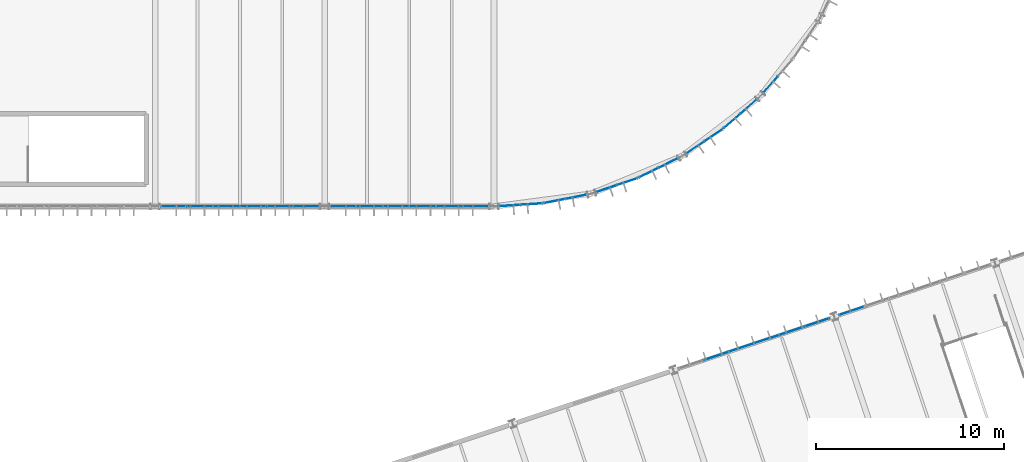
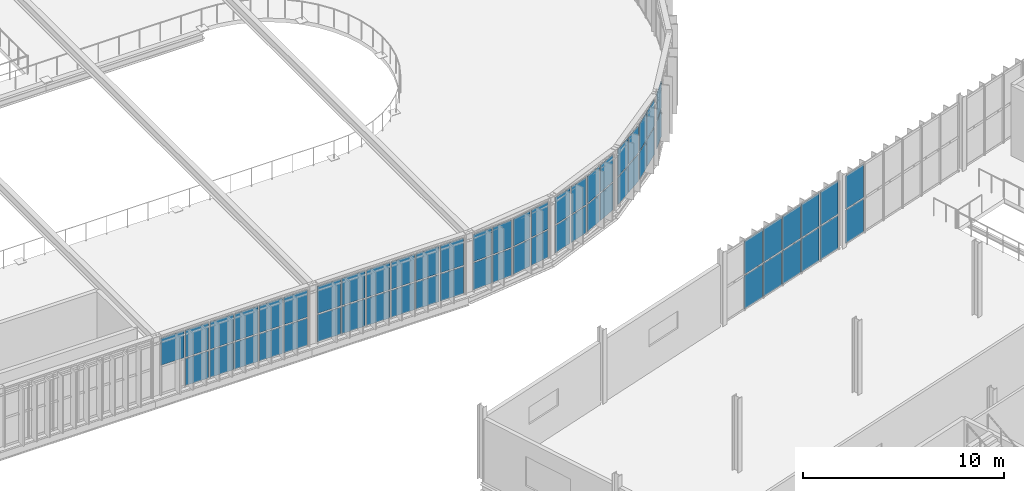
# One storey, part 107 of 152: 61 plates, 11 elements without a shape of their own.
"""IFC4 building model written with IfcOpenShell, lengths in metres."""

from ifc_helpers import new_model, si_unit, derived_unit, direction, frame, origin, origin_2d, place, context, subcontext, project, spatial, rectangle, extrude, material, layer, layer_set, type_object, element, aggregate, save


model = new_model("IFC4")

# Units and contexts
model_context = context("Model", 3, precision=1e-05, world=origin(), true_north=direction((0.0, 1.0)))
body_context = subcontext(model_context, "Body", "Model", "MODEL_VIEW")
ifc_project = project(units=[si_unit("LENGTHUNIT", "METRE"), si_unit("AREAUNIT", "SQUARE_METRE"), si_unit("VOLUMEUNIT", "CUBIC_METRE"), si_unit("PLANEANGLEUNIT", "RADIAN"), si_unit("MASSUNIT", "GRAM", prefix="KILO"), si_unit("THERMODYNAMICTEMPERATUREUNIT", "KELVIN"), si_unit("TIMEUNIT", "SECOND"), derived_unit("THERMALTRANSMITTANCEUNIT", [(si_unit("MASSUNIT", "GRAM", prefix="KILO"), 1), (si_unit("THERMODYNAMICTEMPERATUREUNIT", "KELVIN"), -1), (si_unit("TIMEUNIT", "SECOND"), -3)])], contexts=[model_context])

# Site, building, storey
site_placement = place(None, origin())
site = spatial("IfcSite", under=ifc_project, at=site_placement, CompositionType="ELEMENT")
building_placement = place(site_placement, origin())
building = spatial("IfcBuilding", under=site, at=building_placement, Name="Cambertide Market Hall", CompositionType="ELEMENT")
storey_placement = place(building_placement, frame((0.0, 0.0, 5.39990234375)))
storey = spatial("IfcBuildingStorey", under=building, at=storey_placement, Name="L02", CompositionType="ELEMENT", Elevation=5.39990234375)

# Curtain wall, plates
ifc_material_1 = material(Name="Marine Anodized Aluminium 6063-T6 AA25", Category="aluminium")
curtain_wall_type_1 = type_object("IfcCurtainWallType", Name="Lantern Straight Upper Curtain Wall", PredefinedType="USERDEFINED", material=ifc_material_1)
curtain_wall_1_placement = place(storey_placement, origin())
curtain_wall_1 = element("IfcCurtainWall", 1, at=curtain_wall_1_placement, inside=storey, type_object=curtain_wall_type_1, Name="Level 2 Curtain Wall CW-V1S-L02-6", ObjectType="UNITIZED CURTAIN WALL", PredefinedType="USERDEFINED")
ifc_material_2 = material(Name="Low-E Laminated Insulated Glass", Category="glass")
ifc_layer = layer(ifc_material_2, 0.028076171875, Name="Vision Insulated Glazing Panel 28")
ifc_layer_set = layer_set([ifc_layer], Name="Low-E Laminated Insulated Glass")
plate_type = type_object("IfcPlateType", Name="Vision Insulated Glazing Panel 28", PredefinedType="CURTAIN_PANEL", material=ifc_layer_set)
plate_1_placement = place(storey_placement, frame((95.041748046875, 52.0, 0.0400390625), z_axis=(0.0, 0.0, 1.0), x_axis=(-1.0, 0.0, 0.0)))
plate_1 = element("IfcPlate", 2, at=plate_1_placement, type_object=plate_type, Name="CW-V1S-L02-6 Glazing Panel 1-1", PredefinedType="CURTAIN_PANEL", context=body_context, shape_type="SweptSolid", body=[
    extrude(rectangle(XDim=1.336669921875, YDim=0.028076171875, at=origin_2d()), origin(), (0.0, 0.0, 1.0), 1.64501953125),
])
plate_2_placement = place(storey_placement, frame((93.625, 52.0, 0.0400390625), z_axis=(0.0, 0.0, 1.0), x_axis=(-1.0, 0.0, 0.0)))
plate_2 = element("IfcPlate", 3, at=plate_2_placement, type_object=plate_type, Name="CW-V1S-L02-6 Glazing Panel 1-2", PredefinedType="CURTAIN_PANEL", context=body_context, shape_type="SweptSolid", body=[
    extrude(rectangle(XDim=1.336669921875, YDim=0.028076171875, at=origin_2d()), origin(), (0.0, 0.0, 1.0), 1.64501953125),
])
plate_3_placement = place(storey_placement, frame((92.208251953125, 52.0, 0.0400390625), z_axis=(0.0, 0.0, 1.0), x_axis=(-1.0, 0.0, 0.0)))
plate_3 = element("IfcPlate", 4, at=plate_3_placement, type_object=plate_type, Name="CW-V1S-L02-6 Glazing Panel 1-3", PredefinedType="CURTAIN_PANEL", context=body_context, shape_type="SweptSolid", body=[
    extrude(rectangle(XDim=1.336669921875, YDim=0.028076171875, at=origin_2d()), origin(), (0.0, 0.0, 1.0), 1.64501953125),
])
plate_4_placement = place(storey_placement, frame((90.791748046875, 52.0, 0.0400390625), z_axis=(0.0, 0.0, 1.0), x_axis=(-1.0, 0.0, 0.0)))
plate_4 = element("IfcPlate", 5, at=plate_4_placement, type_object=plate_type, Name="CW-V1S-L02-6 Glazing Panel 1-4", PredefinedType="CURTAIN_PANEL", context=body_context, shape_type="SweptSolid", body=[
    extrude(rectangle(XDim=1.336669921875, YDim=0.028076171875, at=origin_2d()), origin(), (0.0, 0.0, 1.0), 1.64501953125),
])
plate_5_placement = place(storey_placement, frame((89.375, 52.0, 0.0400390625), z_axis=(0.0, 0.0, 1.0), x_axis=(-1.0, 0.0, 0.0)))
plate_5 = element("IfcPlate", 6, at=plate_5_placement, type_object=plate_type, Name="CW-V1S-L02-6 Glazing Panel 1-5", PredefinedType="CURTAIN_PANEL", context=body_context, shape_type="SweptSolid", body=[
    extrude(rectangle(XDim=1.336669921875, YDim=0.028076171875, at=origin_2d()), origin(), (0.0, 0.0, 1.0), 1.64501953125),
])
plate_6_placement = place(storey_placement, frame((95.041748046875, 52.0, 1.76513671875), z_axis=(0.0, 0.0, 1.0), x_axis=(-1.0, 0.0, 0.0)))
plate_6 = element("IfcPlate", 7, at=plate_6_placement, type_object=plate_type, Name="CW-V1S-L02-6 Glazing Panel 2-1", PredefinedType="CURTAIN_PANEL", context=body_context, shape_type="SweptSolid", body=[
    extrude(rectangle(XDim=1.336669921875, YDim=0.028076171875, at=origin_2d()), origin(), (0.0, 0.0, 1.0), 1.64501953125),
])
plate_7_placement = place(storey_placement, frame((93.625, 52.0, 1.76513671875), z_axis=(0.0, 0.0, 1.0), x_axis=(-1.0, 0.0, 0.0)))
plate_7 = element("IfcPlate", 8, at=plate_7_placement, type_object=plate_type, Name="CW-V1S-L02-6 Glazing Panel 2-2", PredefinedType="CURTAIN_PANEL", context=body_context, shape_type="SweptSolid", body=[
    extrude(rectangle(XDim=1.336669921875, YDim=0.028076171875, at=origin_2d()), origin(), (0.0, 0.0, 1.0), 1.64501953125),
])
plate_8_placement = place(storey_placement, frame((92.208251953125, 52.0, 1.76513671875), z_axis=(0.0, 0.0, 1.0), x_axis=(-1.0, 0.0, 0.0)))
plate_8 = element("IfcPlate", 9, at=plate_8_placement, type_object=plate_type, Name="CW-V1S-L02-6 Glazing Panel 2-3", PredefinedType="CURTAIN_PANEL", context=body_context, shape_type="SweptSolid", body=[
    extrude(rectangle(XDim=1.336669921875, YDim=0.028076171875, at=origin_2d()), origin(), (0.0, 0.0, 1.0), 1.64501953125),
])
plate_9_placement = place(storey_placement, frame((90.791748046875, 52.0, 1.76513671875), z_axis=(0.0, 0.0, 1.0), x_axis=(-1.0, 0.0, 0.0)))
plate_9 = element("IfcPlate", 10, at=plate_9_placement, type_object=plate_type, Name="CW-V1S-L02-6 Glazing Panel 2-4", PredefinedType="CURTAIN_PANEL", context=body_context, shape_type="SweptSolid", body=[
    extrude(rectangle(XDim=1.336669921875, YDim=0.028076171875, at=origin_2d()), origin(), (0.0, 0.0, 1.0), 1.64501953125),
])
plate_10_placement = place(storey_placement, frame((89.375, 52.0, 1.76513671875), z_axis=(0.0, 0.0, 1.0), x_axis=(-1.0, 0.0, 0.0)))
plate_10 = element("IfcPlate", 11, at=plate_10_placement, type_object=plate_type, Name="CW-V1S-L02-6 Glazing Panel 2-5", PredefinedType="CURTAIN_PANEL", context=body_context, shape_type="SweptSolid", body=[
    extrude(rectangle(XDim=1.336669921875, YDim=0.028076171875, at=origin_2d()), origin(), (0.0, 0.0, 1.0), 1.64501953125),
])
plate_11_placement = place(storey_placement, frame((87.958251953125, 52.0, 1.76513671875), z_axis=(0.0, 0.0, 1.0), x_axis=(-1.0, 0.0, 0.0)))
plate_11 = element("IfcPlate", 12, at=plate_11_placement, type_object=plate_type, Name="CW-V1S-L02-6 Glazing Panel 2-6", PredefinedType="CURTAIN_PANEL", context=body_context, shape_type="SweptSolid", body=[
    extrude(rectangle(XDim=1.336669921875, YDim=0.028076171875, at=origin_2d()), origin(), (0.0, 0.0, 1.0), 1.64501953125),
])
aggregate(curtain_wall_1, [plate_1, plate_2, plate_3, plate_4, plate_5, plate_6, plate_7, plate_8, plate_9, plate_10, plate_11])

curtain_wall_2_placement = place(storey_placement, origin())
curtain_wall_2 = element("IfcCurtainWall", 13, at=curtain_wall_2_placement, inside=storey, type_object=curtain_wall_type_1, Name="Level 2 Curtain Wall CW-V1S-L02-7", ObjectType="UNITIZED CURTAIN WALL", PredefinedType="USERDEFINED")
plate_12_placement = place(storey_placement, frame((104.041748046875, 52.0, 0.0400390625), z_axis=(0.0, 0.0, 1.0), x_axis=(-1.0, 0.0, 0.0)))
plate_12 = element("IfcPlate", 14, at=plate_12_placement, type_object=plate_type, Name="CW-V1S-L02-7 Glazing Panel 1-1", PredefinedType="CURTAIN_PANEL", context=body_context, shape_type="SweptSolid", body=[
    extrude(rectangle(XDim=1.336669921875, YDim=0.028076171875, at=origin_2d()), origin(), (0.0, 0.0, 1.0), 1.64501953125),
])
plate_13_placement = place(storey_placement, frame((102.625, 52.0, 0.0400390625), z_axis=(0.0, 0.0, 1.0), x_axis=(-1.0, 0.0, 0.0)))
plate_13 = element("IfcPlate", 15, at=plate_13_placement, type_object=plate_type, Name="CW-V1S-L02-7 Glazing Panel 1-2", PredefinedType="CURTAIN_PANEL", context=body_context, shape_type="SweptSolid", body=[
    extrude(rectangle(XDim=1.336669921875, YDim=0.028076171875, at=origin_2d()), origin(), (0.0, 0.0, 1.0), 1.64501953125),
])
plate_14_placement = place(storey_placement, frame((101.208251953125, 52.0, 0.0400390625), z_axis=(0.0, 0.0, 1.0), x_axis=(-1.0, 0.0, 0.0)))
plate_14 = element("IfcPlate", 16, at=plate_14_placement, type_object=plate_type, Name="CW-V1S-L02-7 Glazing Panel 1-3", PredefinedType="CURTAIN_PANEL", context=body_context, shape_type="SweptSolid", body=[
    extrude(rectangle(XDim=1.336669921875, YDim=0.028076171875, at=origin_2d()), origin(), (0.0, 0.0, 1.0), 1.64501953125),
])
plate_15_placement = place(storey_placement, frame((99.791748046875, 52.0, 0.0400390625), z_axis=(0.0, 0.0, 1.0), x_axis=(-1.0, 0.0, 0.0)))
plate_15 = element("IfcPlate", 17, at=plate_15_placement, type_object=plate_type, Name="CW-V1S-L02-7 Glazing Panel 1-4", PredefinedType="CURTAIN_PANEL", context=body_context, shape_type="SweptSolid", body=[
    extrude(rectangle(XDim=1.336669921875, YDim=0.028076171875, at=origin_2d()), origin(), (0.0, 0.0, 1.0), 1.64501953125),
])
plate_16_placement = place(storey_placement, frame((98.375, 52.0, 0.0400390625), z_axis=(0.0, 0.0, 1.0), x_axis=(-1.0, 0.0, 0.0)))
plate_16 = element("IfcPlate", 18, at=plate_16_placement, type_object=plate_type, Name="CW-V1S-L02-7 Glazing Panel 1-5", PredefinedType="CURTAIN_PANEL", context=body_context, shape_type="SweptSolid", body=[
    extrude(rectangle(XDim=1.336669921875, YDim=0.028076171875, at=origin_2d()), origin(), (0.0, 0.0, 1.0), 1.64501953125),
])
plate_17_placement = place(storey_placement, frame((96.958251953125, 52.0, 0.0400390625), z_axis=(0.0, 0.0, 1.0), x_axis=(-1.0, 0.0, 0.0)))
plate_17 = element("IfcPlate", 19, at=plate_17_placement, type_object=plate_type, Name="CW-V1S-L02-7 Glazing Panel 1-6", PredefinedType="CURTAIN_PANEL", context=body_context, shape_type="SweptSolid", body=[
    extrude(rectangle(XDim=1.336669921875, YDim=0.028076171875, at=origin_2d()), origin(), (0.0, 0.0, 1.0), 1.64501953125),
])
plate_18_placement = place(storey_placement, frame((104.041748046875, 52.0, 1.76513671875), z_axis=(0.0, 0.0, 1.0), x_axis=(-1.0, 0.0, 0.0)))
plate_18 = element("IfcPlate", 20, at=plate_18_placement, type_object=plate_type, Name="CW-V1S-L02-7 Glazing Panel 2-1", PredefinedType="CURTAIN_PANEL", context=body_context, shape_type="SweptSolid", body=[
    extrude(rectangle(XDim=1.336669921875, YDim=0.028076171875, at=origin_2d()), origin(), (0.0, 0.0, 1.0), 1.64501953125),
])
plate_19_placement = place(storey_placement, frame((102.625, 52.0, 1.76513671875), z_axis=(0.0, 0.0, 1.0), x_axis=(-1.0, 0.0, 0.0)))
plate_19 = element("IfcPlate", 21, at=plate_19_placement, type_object=plate_type, Name="CW-V1S-L02-7 Glazing Panel 2-2", PredefinedType="CURTAIN_PANEL", context=body_context, shape_type="SweptSolid", body=[
    extrude(rectangle(XDim=1.336669921875, YDim=0.028076171875, at=origin_2d()), origin(), (0.0, 0.0, 1.0), 1.64501953125),
])
plate_20_placement = place(storey_placement, frame((101.208251953125, 52.0, 1.76513671875), z_axis=(0.0, 0.0, 1.0), x_axis=(-1.0, 0.0, 0.0)))
plate_20 = element("IfcPlate", 22, at=plate_20_placement, type_object=plate_type, Name="CW-V1S-L02-7 Glazing Panel 2-3", PredefinedType="CURTAIN_PANEL", context=body_context, shape_type="SweptSolid", body=[
    extrude(rectangle(XDim=1.336669921875, YDim=0.028076171875, at=origin_2d()), origin(), (0.0, 0.0, 1.0), 1.64501953125),
])
plate_21_placement = place(storey_placement, frame((99.791748046875, 52.0, 1.76513671875), z_axis=(0.0, 0.0, 1.0), x_axis=(-1.0, 0.0, 0.0)))
plate_21 = element("IfcPlate", 23, at=plate_21_placement, type_object=plate_type, Name="CW-V1S-L02-7 Glazing Panel 2-4", PredefinedType="CURTAIN_PANEL", context=body_context, shape_type="SweptSolid", body=[
    extrude(rectangle(XDim=1.336669921875, YDim=0.028076171875, at=origin_2d()), origin(), (0.0, 0.0, 1.0), 1.64501953125),
])
plate_22_placement = place(storey_placement, frame((98.375, 52.0, 1.76513671875), z_axis=(0.0, 0.0, 1.0), x_axis=(-1.0, 0.0, 0.0)))
plate_22 = element("IfcPlate", 24, at=plate_22_placement, type_object=plate_type, Name="CW-V1S-L02-7 Glazing Panel 2-5", PredefinedType="CURTAIN_PANEL", context=body_context, shape_type="SweptSolid", body=[
    extrude(rectangle(XDim=1.336669921875, YDim=0.028076171875, at=origin_2d()), origin(), (0.0, 0.0, 1.0), 1.64501953125),
])
plate_23_placement = place(storey_placement, frame((96.958251953125, 52.0, 1.76513671875), z_axis=(0.0, 0.0, 1.0), x_axis=(-1.0, 0.0, 0.0)))
plate_23 = element("IfcPlate", 25, at=plate_23_placement, type_object=plate_type, Name="CW-V1S-L02-7 Glazing Panel 2-6", PredefinedType="CURTAIN_PANEL", context=body_context, shape_type="SweptSolid", body=[
    extrude(rectangle(XDim=1.336669921875, YDim=0.028076171875, at=origin_2d()), origin(), (0.0, 0.0, 1.0), 1.64501953125),
])
aggregate(curtain_wall_2, [plate_12, plate_13, plate_14, plate_15, plate_16, plate_17, plate_18, plate_19, plate_20, plate_21, plate_22, plate_23])

ifc_material_3 = material(Name="Marine Anodized Aluminium 6063-T6 AA25", Category="aluminium")
curtain_wall_type_2 = type_object("IfcCurtainWallType", Name="Lantern Apse Chord Upper Curtain Wall", PredefinedType="USERDEFINED", material=ifc_material_3)
curtain_wall_3_placement = place(storey_placement, origin())
curtain_wall_3 = element("IfcCurtainWall", 26, at=curtain_wall_3_placement, inside=storey, type_object=curtain_wall_type_2, Name="Level 2 Curtain Wall CW-V1AE-L02-01", ObjectType="UNITIZED CURTAIN WALL", PredefinedType="USERDEFINED")
plate_24_placement = place(storey_placement, frame((106.997802734375, 52.130859375, 0.0400390625), z_axis=(0.0, 0.0, 1.0), x_axis=(-0.997858917819, -0.065403211921, 0.0)))
plate_24 = element("IfcPlate", 27, at=plate_24_placement, type_object=plate_type, Name="CW-V1AE-L02-01 Glazing Panel 1-1", PredefinedType="CURTAIN_PANEL", context=body_context, shape_type="SweptSolid", body=[
    extrude(rectangle(XDim=1.108154296875, YDim=0.028076171875, at=origin_2d()), origin(), (0.0, 0.0, 1.0), 1.64501953125),
])
plate_25_placement = place(storey_placement, frame((105.812255859375, 52.05322265625, 0.0400390625), z_axis=(0.0, 0.0, 1.0), x_axis=(-0.997858917819, -0.065403211921, 0.0)))
plate_25 = element("IfcPlate", 28, at=plate_25_placement, type_object=plate_type, Name="CW-V1AE-L02-01 Glazing Panel 1-2", PredefinedType="CURTAIN_PANEL", context=body_context, shape_type="SweptSolid", body=[
    extrude(rectangle(XDim=1.108154296875, YDim=0.028076171875, at=origin_2d()), origin(), (0.0, 0.0, 1.0), 1.64501953125),
])
plate_26_placement = place(storey_placement, frame((106.997802734375, 52.130859375, 1.76513671875), z_axis=(0.0, 0.0, 1.0), x_axis=(-0.997858917819, -0.065403211921, 0.0)))
plate_26 = element("IfcPlate", 29, at=plate_26_placement, type_object=plate_type, Name="CW-V1AE-L02-01 Glazing Panel 2-1", PredefinedType="CURTAIN_PANEL", context=body_context, shape_type="SweptSolid", body=[
    extrude(rectangle(XDim=1.108154296875, YDim=0.028076171875, at=origin_2d()), origin(), (0.0, 0.0, 1.0), 1.64501953125),
])
plate_27_placement = place(storey_placement, frame((105.812255859375, 52.05322265625, 1.76513671875), z_axis=(0.0, 0.0, 1.0), x_axis=(-0.997858917819, -0.065403211921, 0.0)))
plate_27 = element("IfcPlate", 30, at=plate_27_placement, type_object=plate_type, Name="CW-V1AE-L02-01 Glazing Panel 2-2", PredefinedType="CURTAIN_PANEL", context=body_context, shape_type="SweptSolid", body=[
    extrude(rectangle(XDim=1.108154296875, YDim=0.028076171875, at=origin_2d()), origin(), (0.0, 0.0, 1.0), 1.64501953125),
])
aggregate(curtain_wall_3, [plate_24, plate_25, plate_26, plate_27])

curtain_wall_4_placement = place(storey_placement, origin())
curtain_wall_4 = element("IfcCurtainWall", 31, at=curtain_wall_4_placement, inside=storey, type_object=curtain_wall_type_2, Name="Level 2 Curtain Wall CW-V1AE-L02-02", ObjectType="UNITIZED CURTAIN WALL", PredefinedType="USERDEFINED")
plate_28_placement = place(storey_placement, frame((109.3779296875, 52.522705078125, 0.0400390625), z_axis=(0.0, 0.0, 1.0), x_axis=(-0.980785330885, -0.195090068226, 0.0)))
plate_28 = element("IfcPlate", 32, at=plate_28_placement, type_object=plate_type, Name="CW-V1AE-L02-02 Glazing Panel 1-1", PredefinedType="CURTAIN_PANEL", context=body_context, shape_type="SweptSolid", body=[
    extrude(rectangle(XDim=1.108154296875, YDim=0.028076171875, at=origin_2d()), origin(), (0.0, 0.0, 1.0), 1.64501953125),
])
plate_29_placement = place(storey_placement, frame((108.212646484375, 52.291015625, 0.0400390625), z_axis=(0.0, 0.0, 1.0), x_axis=(-0.980785330885, -0.195090068226, 0.0)))
plate_29 = element("IfcPlate", 33, at=plate_29_placement, type_object=plate_type, Name="CW-V1AE-L02-02 Glazing Panel 1-2", PredefinedType="CURTAIN_PANEL", context=body_context, shape_type="SweptSolid", body=[
    extrude(rectangle(XDim=1.108154296875, YDim=0.028076171875, at=origin_2d()), origin(), (0.0, 0.0, 1.0), 1.64501953125),
])
plate_30_placement = place(storey_placement, frame((109.3779296875, 52.522705078125, 1.76513671875), z_axis=(0.0, 0.0, 1.0), x_axis=(-0.980785330885, -0.195090068226, 0.0)))
plate_30 = element("IfcPlate", 34, at=plate_30_placement, type_object=plate_type, Name="CW-V1AE-L02-02 Glazing Panel 2-1", PredefinedType="CURTAIN_PANEL", context=body_context, shape_type="SweptSolid", body=[
    extrude(rectangle(XDim=1.108154296875, YDim=0.028076171875, at=origin_2d()), origin(), (0.0, 0.0, 1.0), 1.64501953125),
])
plate_31_placement = place(storey_placement, frame((108.212646484375, 52.291015625, 1.76513671875), z_axis=(0.0, 0.0, 1.0), x_axis=(-0.980785330885, -0.195090068226, 0.0)))
plate_31 = element("IfcPlate", 35, at=plate_31_placement, type_object=plate_type, Name="CW-V1AE-L02-02 Glazing Panel 2-2", PredefinedType="CURTAIN_PANEL", context=body_context, shape_type="SweptSolid", body=[
    extrude(rectangle(XDim=1.108154296875, YDim=0.028076171875, at=origin_2d()), origin(), (0.0, 0.0, 1.0), 1.64501953125),
])
aggregate(curtain_wall_4, [plate_28, plate_29, plate_30, plate_31])

curtain_wall_5_placement = place(storey_placement, origin())
curtain_wall_5 = element("IfcCurtainWall", 36, at=curtain_wall_5_placement, inside=storey, type_object=curtain_wall_type_2, Name="Level 2 Curtain Wall CW-V1AE-L02-03", ObjectType="UNITIZED CURTAIN WALL", PredefinedType="USERDEFINED")
plate_32_placement = place(storey_placement, frame((112.072265625, 53.324951171875, 0.0400390625), z_axis=(0.0, 0.0, 1.0), x_axis=(-0.94693012508, -0.32143947831, 0.0)))
plate_32 = element("IfcPlate", 37, at=plate_32_placement, type_object=plate_type, Name="CW-V1AE-L02-03 Glazing Panel 1-1", PredefinedType="CURTAIN_PANEL", context=body_context, shape_type="SweptSolid", body=[
    extrude(rectangle(XDim=1.108154296875, YDim=0.028076171875, at=origin_2d()), origin(), (0.0, 0.0, 1.0), 1.64501953125),
])
plate_33_placement = place(storey_placement, frame((110.947265625, 52.943115234375, 0.0400390625), z_axis=(0.0, 0.0, 1.0), x_axis=(-0.94693012508, -0.32143947831, 0.0)))
plate_33 = element("IfcPlate", 38, at=plate_33_placement, type_object=plate_type, Name="CW-V1AE-L02-03 Glazing Panel 1-2", PredefinedType="CURTAIN_PANEL", context=body_context, shape_type="SweptSolid", body=[
    extrude(rectangle(XDim=1.108154296875, YDim=0.028076171875, at=origin_2d()), origin(), (0.0, 0.0, 1.0), 1.64501953125),
])
plate_34_placement = place(storey_placement, frame((112.072265625, 53.324951171875, 1.76513671875), z_axis=(0.0, 0.0, 1.0), x_axis=(-0.94693012508, -0.32143947831, 0.0)))
plate_34 = element("IfcPlate", 39, at=plate_34_placement, type_object=plate_type, Name="CW-V1AE-L02-03 Glazing Panel 2-1", PredefinedType="CURTAIN_PANEL", context=body_context, shape_type="SweptSolid", body=[
    extrude(rectangle(XDim=1.108154296875, YDim=0.028076171875, at=origin_2d()), origin(), (0.0, 0.0, 1.0), 1.64501953125),
])
plate_35_placement = place(storey_placement, frame((110.947265625, 52.943115234375, 1.76513671875), z_axis=(0.0, 0.0, 1.0), x_axis=(-0.94693012508, -0.32143947831, 0.0)))
plate_35 = element("IfcPlate", 40, at=plate_35_placement, type_object=plate_type, Name="CW-V1AE-L02-03 Glazing Panel 2-2", PredefinedType="CURTAIN_PANEL", context=body_context, shape_type="SweptSolid", body=[
    extrude(rectangle(XDim=1.108154296875, YDim=0.028076171875, at=origin_2d()), origin(), (0.0, 0.0, 1.0), 1.64501953125),
])
aggregate(curtain_wall_5, [plate_32, plate_33, plate_34, plate_35])

curtain_wall_6_placement = place(storey_placement, origin())
curtain_wall_6 = element("IfcCurtainWall", 41, at=curtain_wall_6_placement, inside=storey, type_object=curtain_wall_type_2, Name="Level 2 Curtain Wall CW-V1AE-L02-04", ObjectType="UNITIZED CURTAIN WALL", PredefinedType="USERDEFINED")
plate_36_placement = place(storey_placement, frame((114.27001953125, 54.3193359375, 0.0400390625), z_axis=(0.0, 0.0, 1.0), x_axis=(-0.896872650645, -0.442288874522, 0.0)))
plate_36 = element("IfcPlate", 42, at=plate_36_placement, type_object=plate_type, Name="CW-V1AE-L02-04 Glazing Panel 1-1", PredefinedType="CURTAIN_PANEL", context=body_context, shape_type="SweptSolid", body=[
    extrude(rectangle(XDim=1.108154296875, YDim=0.028076171875, at=origin_2d()), origin(), (0.0, 0.0, 1.0), 1.64501953125),
])
plate_37_placement = place(storey_placement, frame((113.204345703125, 53.7939453125, 0.0400390625), z_axis=(0.0, 0.0, 1.0), x_axis=(-0.896872650645, -0.442288874522, 0.0)))
plate_37 = element("IfcPlate", 43, at=plate_37_placement, type_object=plate_type, Name="CW-V1AE-L02-04 Glazing Panel 1-2", PredefinedType="CURTAIN_PANEL", context=body_context, shape_type="SweptSolid", body=[
    extrude(rectangle(XDim=1.108154296875, YDim=0.028076171875, at=origin_2d()), origin(), (0.0, 0.0, 1.0), 1.64501953125),
])
plate_38_placement = place(storey_placement, frame((114.27001953125, 54.3193359375, 1.76513671875), z_axis=(0.0, 0.0, 1.0), x_axis=(-0.896872650645, -0.442288874522, 0.0)))
plate_38 = element("IfcPlate", 44, at=plate_38_placement, type_object=plate_type, Name="CW-V1AE-L02-04 Glazing Panel 2-1", PredefinedType="CURTAIN_PANEL", context=body_context, shape_type="SweptSolid", body=[
    extrude(rectangle(XDim=1.108154296875, YDim=0.028076171875, at=origin_2d()), origin(), (0.0, 0.0, 1.0), 1.64501953125),
])
plate_39_placement = place(storey_placement, frame((113.204345703125, 53.7939453125, 1.76513671875), z_axis=(0.0, 0.0, 1.0), x_axis=(-0.896872650645, -0.442288874522, 0.0)))
plate_39 = element("IfcPlate", 45, at=plate_39_placement, type_object=plate_type, Name="CW-V1AE-L02-04 Glazing Panel 2-2", PredefinedType="CURTAIN_PANEL", context=body_context, shape_type="SweptSolid", body=[
    extrude(rectangle(XDim=1.108154296875, YDim=0.028076171875, at=origin_2d()), origin(), (0.0, 0.0, 1.0), 1.64501953125),
])
aggregate(curtain_wall_6, [plate_36, plate_37, plate_38, plate_39])

curtain_wall_7_placement = place(storey_placement, origin())
curtain_wall_7 = element("IfcCurtainWall", 46, at=curtain_wall_7_placement, inside=storey, type_object=curtain_wall_type_2, Name="Level 2 Curtain Wall CW-V1AE-L02-05", ObjectType="UNITIZED CURTAIN WALL", PredefinedType="USERDEFINED")
plate_40_placement = place(storey_placement, frame((116.664794921875, 55.791748046875, 0.0400390625), z_axis=(0.0, 0.0, 1.0), x_axis=(-0.831469709481, -0.555570087582, 0.0)))
plate_40 = element("IfcPlate", 47, at=plate_40_placement, type_object=plate_type, Name="CW-V1AE-L02-05 Glazing Panel 1-1", PredefinedType="CURTAIN_PANEL", context=body_context, shape_type="SweptSolid", body=[
    extrude(rectangle(XDim=1.108154296875, YDim=0.028076171875, at=origin_2d()), origin(), (0.0, 0.0, 1.0), 1.64501953125),
])
plate_41_placement = place(storey_placement, frame((115.6767578125, 55.1318359375, 0.0400390625), z_axis=(0.0, 0.0, 1.0), x_axis=(-0.831469709481, -0.555570087582, 0.0)))
plate_41 = element("IfcPlate", 48, at=plate_41_placement, type_object=plate_type, Name="CW-V1AE-L02-05 Glazing Panel 1-2", PredefinedType="CURTAIN_PANEL", context=body_context, shape_type="SweptSolid", body=[
    extrude(rectangle(XDim=1.108154296875, YDim=0.028076171875, at=origin_2d()), origin(), (0.0, 0.0, 1.0), 1.64501953125),
])
plate_42_placement = place(storey_placement, frame((116.664794921875, 55.791748046875, 1.76513671875), z_axis=(0.0, 0.0, 1.0), x_axis=(-0.831469709481, -0.555570087582, 0.0)))
plate_42 = element("IfcPlate", 49, at=plate_42_placement, type_object=plate_type, Name="CW-V1AE-L02-05 Glazing Panel 2-1", PredefinedType="CURTAIN_PANEL", context=body_context, shape_type="SweptSolid", body=[
    extrude(rectangle(XDim=1.108154296875, YDim=0.028076171875, at=origin_2d()), origin(), (0.0, 0.0, 1.0), 1.64501953125),
])
plate_43_placement = place(storey_placement, frame((115.6767578125, 55.1318359375, 1.76513671875), z_axis=(0.0, 0.0, 1.0), x_axis=(-0.831469709481, -0.555570087582, 0.0)))
plate_43 = element("IfcPlate", 50, at=plate_43_placement, type_object=plate_type, Name="CW-V1AE-L02-05 Glazing Panel 2-2", PredefinedType="CURTAIN_PANEL", context=body_context, shape_type="SweptSolid", body=[
    extrude(rectangle(XDim=1.108154296875, YDim=0.028076171875, at=origin_2d()), origin(), (0.0, 0.0, 1.0), 1.64501953125),
])
aggregate(curtain_wall_7, [plate_40, plate_41, plate_42, plate_43])

curtain_wall_8_placement = place(storey_placement, origin())
curtain_wall_8 = element("IfcCurtainWall", 51, at=curtain_wall_8_placement, inside=storey, type_object=curtain_wall_type_2, Name="Level 2 Curtain Wall CW-V1AE-L02-06", ObjectType="UNITIZED CURTAIN WALL", PredefinedType="USERDEFINED")
plate_44_placement = place(storey_placement, frame((118.530029296875, 57.321044921875, 0.0400390625), z_axis=(0.0, 0.0, 1.0), x_axis=(-0.751839834741, -0.659345784014, 0.0)))
plate_44 = element("IfcPlate", 52, at=plate_44_placement, type_object=plate_type, Name="CW-V1AE-L02-06 Glazing Panel 1-1", PredefinedType="CURTAIN_PANEL", context=body_context, shape_type="SweptSolid", body=[
    extrude(rectangle(XDim=1.108154296875, YDim=0.028076171875, at=origin_2d()), origin(), (0.0, 0.0, 1.0), 1.64501953125),
])
plate_45_placement = place(storey_placement, frame((117.636962890625, 56.537841796875, 0.0400390625), z_axis=(0.0, 0.0, 1.0), x_axis=(-0.751839834741, -0.659345784014, 0.0)))
plate_45 = element("IfcPlate", 53, at=plate_45_placement, type_object=plate_type, Name="CW-V1AE-L02-06 Glazing Panel 1-2", PredefinedType="CURTAIN_PANEL", context=body_context, shape_type="SweptSolid", body=[
    extrude(rectangle(XDim=1.108154296875, YDim=0.028076171875, at=origin_2d()), origin(), (0.0, 0.0, 1.0), 1.64501953125),
])
plate_46_placement = place(storey_placement, frame((118.530029296875, 57.321044921875, 1.76513671875), z_axis=(0.0, 0.0, 1.0), x_axis=(-0.751839834741, -0.659345784014, 0.0)))
plate_46 = element("IfcPlate", 54, at=plate_46_placement, type_object=plate_type, Name="CW-V1AE-L02-06 Glazing Panel 2-1", PredefinedType="CURTAIN_PANEL", context=body_context, shape_type="SweptSolid", body=[
    extrude(rectangle(XDim=1.108154296875, YDim=0.028076171875, at=origin_2d()), origin(), (0.0, 0.0, 1.0), 1.64501953125),
])
plate_47_placement = place(storey_placement, frame((117.636962890625, 56.537841796875, 1.76513671875), z_axis=(0.0, 0.0, 1.0), x_axis=(-0.751839834741, -0.659345784014, 0.0)))
plate_47 = element("IfcPlate", 55, at=plate_47_placement, type_object=plate_type, Name="CW-V1AE-L02-06 Glazing Panel 2-2", PredefinedType="CURTAIN_PANEL", context=body_context, shape_type="SweptSolid", body=[
    extrude(rectangle(XDim=1.108154296875, YDim=0.028076171875, at=origin_2d()), origin(), (0.0, 0.0, 1.0), 1.64501953125),
])
aggregate(curtain_wall_8, [plate_44, plate_45, plate_46, plate_47])

curtain_wall_9_placement = place(storey_placement, origin())
curtain_wall_9 = element("IfcCurtainWall", 56, at=curtain_wall_9_placement, inside=storey, type_object=curtain_wall_type_2, Name="Level 2 Curtain Wall CW-V1AE-L02-07", ObjectType="UNITIZED CURTAIN WALL", PredefinedType="USERDEFINED")
plate_48_placement = place(storey_placement, frame((119.678955078125, 58.469970703125, 0.0400390625), z_axis=(0.0, 0.0, 1.0), x_axis=(-0.659345784014, -0.751839834741, 0.0)))
plate_48 = element("IfcPlate", 57, at=plate_48_placement, type_object=plate_type, Name="CW-V1AE-L02-07 Glazing Panel 1-2", PredefinedType="CURTAIN_PANEL", context=body_context, shape_type="SweptSolid", body=[
    extrude(rectangle(XDim=1.108154296875, YDim=0.028076171875, at=origin_2d()), origin(), (0.0, 0.0, 1.0), 1.64501953125),
])
plate_49_placement = place(storey_placement, frame((119.678955078125, 58.469970703125, 1.76513671875), z_axis=(0.0, 0.0, 1.0), x_axis=(-0.659345784014, -0.751839834741, 0.0)))
plate_49 = element("IfcPlate", 58, at=plate_49_placement, type_object=plate_type, Name="CW-V1AE-L02-07 Glazing Panel 2-2", PredefinedType="CURTAIN_PANEL", context=body_context, shape_type="SweptSolid", body=[
    extrude(rectangle(XDim=1.108154296875, YDim=0.028076171875, at=origin_2d()), origin(), (0.0, 0.0, 1.0), 1.64501953125),
])
aggregate(curtain_wall_9, [plate_48, plate_49])

ifc_material_4 = material(Name="Marine Anodized Aluminium 6063-T6 AA25", Category="aluminium")
curtain_wall_type_3 = type_object("IfcCurtainWallType", Name="Food Court Upper Glazed Facade", PredefinedType="USERDEFINED", material=ifc_material_4)
curtain_wall_10_placement = place(storey_placement, origin())
curtain_wall_10 = element("IfcCurtainWall", 59, at=curtain_wall_10_placement, inside=storey, type_object=curtain_wall_type_3, Name="Level 2 Curtain Wall CW-V3N-L02-3", ObjectType="UNITIZED CURTAIN WALL", PredefinedType="USERDEFINED")
plate_50_placement = place(storey_placement, frame((116.78662109375, 44.055908203125, 0.0400390625), z_axis=(0.0, 0.0, 1.0), x_axis=(0.948683274577, 0.316227836438, 0.0)))
plate_50 = element("IfcPlate", 60, at=plate_50_placement, type_object=plate_type, Name="CW-V3N-L02-3 Glazing Panel 1-2", PredefinedType="CURTAIN_PANEL", context=body_context, shape_type="SweptSolid", body=[
    extrude(rectangle(XDim=1.340087890625, YDim=0.028076171875, at=origin_2d()), origin(), (0.0, 0.0, 1.0), 2.02001953125),
])
plate_51_placement = place(storey_placement, frame((118.133544921875, 44.505126953125, 0.0400390625), z_axis=(0.0, 0.0, 1.0), x_axis=(0.948683274577, 0.316227836438, 0.0)))
plate_51 = element("IfcPlate", 61, at=plate_51_placement, type_object=plate_type, Name="CW-V3N-L02-3 Glazing Panel 1-3", PredefinedType="CURTAIN_PANEL", context=body_context, shape_type="SweptSolid", body=[
    extrude(rectangle(XDim=1.340087890625, YDim=0.028076171875, at=origin_2d()), origin(), (0.0, 0.0, 1.0), 2.02001953125),
])
plate_52_placement = place(storey_placement, frame((119.480712890625, 44.9541015625, 0.0400390625), z_axis=(0.0, 0.0, 1.0), x_axis=(0.948683274577, 0.316227836438, 0.0)))
plate_52 = element("IfcPlate", 62, at=plate_52_placement, type_object=plate_type, Name="CW-V3N-L02-3 Glazing Panel 1-4", PredefinedType="CURTAIN_PANEL", context=body_context, shape_type="SweptSolid", body=[
    extrude(rectangle(XDim=1.340087890625, YDim=0.028076171875, at=origin_2d()), origin(), (0.0, 0.0, 1.0), 2.02001953125),
])
plate_53_placement = place(storey_placement, frame((120.827880859375, 45.403076171875, 0.0400390625), z_axis=(0.0, 0.0, 1.0), x_axis=(0.948683274577, 0.316227836438, 0.0)))
plate_53 = element("IfcPlate", 63, at=plate_53_placement, type_object=plate_type, Name="CW-V3N-L02-3 Glazing Panel 1-5", PredefinedType="CURTAIN_PANEL", context=body_context, shape_type="SweptSolid", body=[
    extrude(rectangle(XDim=1.340087890625, YDim=0.028076171875, at=origin_2d()), origin(), (0.0, 0.0, 1.0), 2.02001953125),
])
plate_54_placement = place(storey_placement, frame((122.175048828125, 45.852294921875, 0.0400390625), z_axis=(0.0, 0.0, 1.0), x_axis=(0.948683274577, 0.316227836438, 0.0)))
plate_54 = element("IfcPlate", 64, at=plate_54_placement, type_object=plate_type, Name="CW-V3N-L02-3 Glazing Panel 1-6", PredefinedType="CURTAIN_PANEL", context=body_context, shape_type="SweptSolid", body=[
    extrude(rectangle(XDim=1.340087890625, YDim=0.028076171875, at=origin_2d()), origin(), (0.0, 0.0, 1.0), 2.02001953125),
])
plate_55_placement = place(storey_placement, frame((116.78662109375, 44.055908203125, 2.14013671875), z_axis=(0.0, 0.0, 1.0), x_axis=(0.948683274577, 0.316227836438, 0.0)))
plate_55 = element("IfcPlate", 65, at=plate_55_placement, type_object=plate_type, Name="CW-V3N-L02-3 Glazing Panel 2-2", PredefinedType="CURTAIN_PANEL", context=body_context, shape_type="SweptSolid", body=[
    extrude(rectangle(XDim=1.340087890625, YDim=0.028076171875, at=origin_2d()), origin(), (0.0, 0.0, 1.0), 2.02001953125),
])
plate_56_placement = place(storey_placement, frame((118.133544921875, 44.505126953125, 2.14013671875), z_axis=(0.0, 0.0, 1.0), x_axis=(0.948683274577, 0.316227836438, 0.0)))
plate_56 = element("IfcPlate", 66, at=plate_56_placement, type_object=plate_type, Name="CW-V3N-L02-3 Glazing Panel 2-3", PredefinedType="CURTAIN_PANEL", context=body_context, shape_type="SweptSolid", body=[
    extrude(rectangle(XDim=1.340087890625, YDim=0.028076171875, at=origin_2d()), origin(), (0.0, 0.0, 1.0), 2.02001953125),
])
plate_57_placement = place(storey_placement, frame((119.480712890625, 44.9541015625, 2.14013671875), z_axis=(0.0, 0.0, 1.0), x_axis=(0.948683274577, 0.316227836438, 0.0)))
plate_57 = element("IfcPlate", 67, at=plate_57_placement, type_object=plate_type, Name="CW-V3N-L02-3 Glazing Panel 2-4", PredefinedType="CURTAIN_PANEL", context=body_context, shape_type="SweptSolid", body=[
    extrude(rectangle(XDim=1.340087890625, YDim=0.028076171875, at=origin_2d()), origin(), (0.0, 0.0, 1.0), 2.02001953125),
])
plate_58_placement = place(storey_placement, frame((120.827880859375, 45.403076171875, 2.14013671875), z_axis=(0.0, 0.0, 1.0), x_axis=(0.948683274577, 0.316227836438, 0.0)))
plate_58 = element("IfcPlate", 68, at=plate_58_placement, type_object=plate_type, Name="CW-V3N-L02-3 Glazing Panel 2-5", PredefinedType="CURTAIN_PANEL", context=body_context, shape_type="SweptSolid", body=[
    extrude(rectangle(XDim=1.340087890625, YDim=0.028076171875, at=origin_2d()), origin(), (0.0, 0.0, 1.0), 2.02001953125),
])
plate_59_placement = place(storey_placement, frame((122.175048828125, 45.852294921875, 2.14013671875), z_axis=(0.0, 0.0, 1.0), x_axis=(0.948683274577, 0.316227836438, 0.0)))
plate_59 = element("IfcPlate", 69, at=plate_59_placement, type_object=plate_type, Name="CW-V3N-L02-3 Glazing Panel 2-6", PredefinedType="CURTAIN_PANEL", context=body_context, shape_type="SweptSolid", body=[
    extrude(rectangle(XDim=1.340087890625, YDim=0.028076171875, at=origin_2d()), origin(), (0.0, 0.0, 1.0), 2.02001953125),
])
aggregate(curtain_wall_10, [plate_50, plate_51, plate_52, plate_53, plate_54, plate_55, plate_56, plate_57, plate_58, plate_59])

curtain_wall_11_placement = place(storey_placement, origin())
curtain_wall_11 = element("IfcCurtainWall", 70, at=curtain_wall_11_placement, inside=storey, type_object=curtain_wall_type_3, Name="Level 2 Curtain Wall CW-V3N-L02-4", ObjectType="UNITIZED CURTAIN WALL", PredefinedType="USERDEFINED")
plate_60_placement = place(storey_placement, frame((123.9775390625, 46.453125, 0.0400390625), z_axis=(0.0, 0.0, 1.0), x_axis=(0.948683286311, 0.316227801236, 0.0)))
plate_60 = element("IfcPlate", 71, at=plate_60_placement, type_object=plate_type, Name="CW-V3N-L02-4 Glazing Panel 1-1", PredefinedType="CURTAIN_PANEL", context=body_context, shape_type="SweptSolid", body=[
    extrude(rectangle(XDim=1.340087890625, YDim=0.028076171875, at=origin_2d()), origin(), (0.0, 0.0, 1.0), 2.02001953125),
])
plate_61_placement = place(storey_placement, frame((123.9775390625, 46.453125, 2.14013671875), z_axis=(0.0, 0.0, 1.0), x_axis=(0.948683286311, 0.316227801236, 0.0)))
plate_61 = element("IfcPlate", 72, at=plate_61_placement, type_object=plate_type, Name="CW-V3N-L02-4 Glazing Panel 2-1", PredefinedType="CURTAIN_PANEL", context=body_context, shape_type="SweptSolid", body=[
    extrude(rectangle(XDim=1.340087890625, YDim=0.028076171875, at=origin_2d()), origin(), (0.0, 0.0, 1.0), 2.02001953125),
])
aggregate(curtain_wall_11, [plate_60, plate_61])

save(model, "model.ifc")
